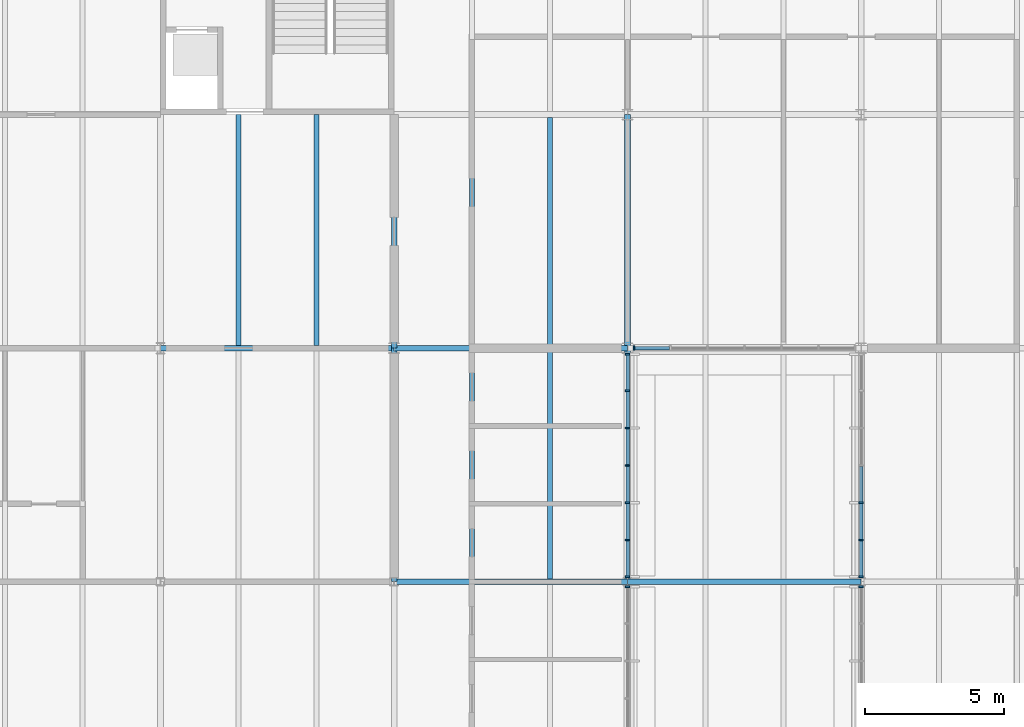
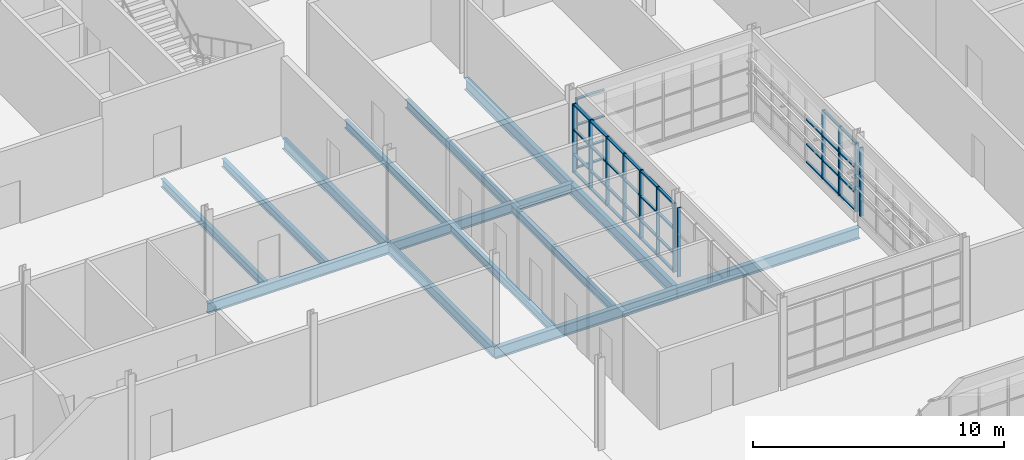
# One storey, part 60 of 116: 52 members, 14 beams, 5 elements without a shape of their own.
"""IFC4 building model written with IfcOpenShell, lengths in metres."""

from ifc_helpers import new_model, si_unit, direction, frame, origin, origin_2d, place, context, subcontext, project, spatial, rectangle, i_section, extrude, material, layer, layer_set, material_profile, profile_set, type_object, element, aggregate, save


model = new_model("IFC4")

# Units and contexts
model_context = context("Model", 3, precision=1e-05, world=origin(), true_north=direction((0.0, 1.0)))
body_context = subcontext(model_context, "Body", "Model", "MODEL_VIEW")
ifc_project = project(units=[si_unit("LENGTHUNIT", "METRE"), si_unit("AREAUNIT", "SQUARE_METRE"), si_unit("VOLUMEUNIT", "CUBIC_METRE"), si_unit("PLANEANGLEUNIT", "RADIAN"), si_unit("MASSUNIT", "GRAM", prefix="KILO")], contexts=[model_context])

# Site, building, storey
site_placement = place(None, origin())
site = spatial("IfcSite", under=ifc_project, at=site_placement, CompositionType="ELEMENT")
building_placement = place(site_placement, origin())
building = spatial("IfcBuilding", under=site, at=building_placement, Name="Ardhachandra Cancer Care Centre", CompositionType="ELEMENT")
storey_placement = place(building_placement, origin())
storey = spatial("IfcBuildingStorey", under=building, at=storey_placement, Name="L00", CompositionType="ELEMENT", Elevation=0.0)

# Beams
ifc_material_1 = material(Name="Steel E350 (IS 2062)", Category="steel")
ifc_material_profile_1 = material_profile(ifc_material_1, i_section(OverallWidth=0.179931640625, OverallDepth=0.39990234375, WebThickness=0.008544921875, FlangeThickness=0.013427734375, FilletRadius=0.02099609375, at=origin_2d()), Name="NPB 400x180x66.30")
ifc_profile_set_1 = profile_set([ifc_material_profile_1], Name="Steel E350 (IS 2062)")
beam_type_1 = type_object("IfcBeamType", Name="Beam NPB 400x180x66.30", PredefinedType="BEAM", material=ifc_profile_set_1)
for number, where, z_axis, x_axis, name in (
    (1, (106.0, 79.89990234375, -0.35009765625), (0.0, 1.0, 0.0), (-1.0, 0.0, 0.0), "Secondary J12-K12@2800"),
    (2, (108.800048828125, 79.89990234375, -0.35009765625), (0.0, 1.0, 0.0), (-1.0, 0.0, 0.0), "Secondary J12-K12@5600"),
):
    element("IfcBeam", number, at=place(storey_placement, frame(where, z_axis=z_axis, x_axis=x_axis)), inside=storey, type_object=beam_type_1, Name=name, PredefinedType="BEAM", context=body_context, shape_type="SweptSolid", body=[
        extrude(i_section(OverallWidth=0.179931640625, OverallDepth=0.39990234375, WebThickness=0.008544921875, FlangeThickness=0.013427734375, FilletRadius=0.02099609375, at=origin_2d()), origin(), (0.0, 0.0, 1.0), 8.300048828125),
    ])
for number, where, z_axis, x_axis, name in (
    (3, (114.39990234375, 71.5048828125, -0.35009765625), (0.0, 1.0, 0.0), (-1.0, 0.0, 0.0), "Secondary H13-J13@2800"),
    (4, (114.39990234375, 79.89990234375, -0.35009765625), (0.0, 1.0, 0.0), (-1.0, 0.0, 0.0), "Secondary J13-K13@2800"),
    (5, (117.199951171875, 71.5048828125, -0.35009765625), (0.0, 1.0, 0.0), (-1.0, 0.0, 0.0), "Secondary H13-J13@5600"),
    (6, (117.199951171875, 79.89990234375, -0.35009765625), (0.0, 1.0, 0.0), (-1.0, 0.0, 0.0), "Secondary J13-K13@5600"),
):
    element("IfcBeam", number, at=place(storey_placement, frame(where, z_axis=z_axis, x_axis=x_axis)), inside=storey, type_object=beam_type_1, Name=name, PredefinedType="BEAM", context=body_context, shape_type="SweptSolid", body=[
        extrude(i_section(OverallWidth=0.179931640625, OverallDepth=0.39990234375, WebThickness=0.008544921875, FlangeThickness=0.013427734375, FilletRadius=0.02099609375, at=origin_2d()), origin(), (0.0, 0.0, 1.0), 8.195068359375),
    ])
ifc_material_2 = material(Name="Steel E350 (IS 2062)", Category="steel")
ifc_material_profile_2 = material_profile(ifc_material_2, i_section(OverallWidth=0.199951171875, OverallDepth=0.5, WebThickness=0.01025390625, FlangeThickness=0.01611328125, FilletRadius=0.02099609375, at=origin_2d()), Name="NPB 500x200x90.68")
ifc_profile_set_2 = profile_set([ifc_material_profile_2], Name="Steel E350 (IS 2062)")
beam_type_2 = type_object("IfcBeamType", Name="Beam NPB 500x200x90.68", PredefinedType="BEAM", material=ifc_profile_set_2)
beam_1_placement = place(storey_placement, frame((103.199951171875, 79.800048828125, -0.39990234375), z_axis=(1.0, 0.0, 0.0), x_axis=(0.0, 1.0, 0.0)))
element("IfcBeam", 7, at=beam_1_placement, inside=storey, type_object=beam_type_2, Name="Edge girder J12-J13", PredefinedType="BEAM", context=body_context, shape_type="SweptSolid", body=[
    extrude(i_section(OverallWidth=0.199951171875, OverallDepth=0.5, WebThickness=0.01025390625, FlangeThickness=0.01611328125, FilletRadius=0.02099609375, at=origin_2d()), origin(), (0.0, 0.0, 1.0), 8.400146484375),
])
beam_2_placement = place(storey_placement, frame((111.60009765625, 79.800048828125, -0.39990234375), z_axis=(1.0, 0.0, 0.0), x_axis=(0.0, 1.0, 0.0)))
element("IfcBeam", 8, at=beam_2_placement, inside=storey, type_object=beam_type_2, Name="Edge girder J13-J14", PredefinedType="BEAM", context=body_context, shape_type="SweptSolid", body=[
    extrude(i_section(OverallWidth=0.199951171875, OverallDepth=0.5, WebThickness=0.01025390625, FlangeThickness=0.01611328125, FilletRadius=0.02099609375, at=origin_2d()), origin(), (0.0, 0.0, 1.0), 8.39990234375),
])
beam_3_placement = place(storey_placement, frame((111.60009765625, 71.39990234375, -0.39990234375), z_axis=(0.0, 1.0, 0.0), x_axis=(-1.0, 0.0, 0.0)))
element("IfcBeam", 9, at=beam_3_placement, inside=storey, type_object=beam_type_2, Name="Edge girder H13-J13", PredefinedType="BEAM", context=body_context, shape_type="SweptSolid", body=[
    extrude(i_section(OverallWidth=0.199951171875, OverallDepth=0.5, WebThickness=0.01025390625, FlangeThickness=0.01611328125, FilletRadius=0.02099609375, at=origin_2d()), origin(), (0.0, 0.0, 1.0), 8.400146484375),
])
beam_4_placement = place(storey_placement, frame((111.60009765625, 79.800048828125, -0.39990234375), z_axis=(0.0, 1.0, 0.0), x_axis=(-1.0, 0.0, 0.0)))
element("IfcBeam", 10, at=beam_4_placement, inside=storey, type_object=beam_type_2, Name="Edge girder J13-K13", PredefinedType="BEAM", context=body_context, shape_type="SweptSolid", body=[
    extrude(i_section(OverallWidth=0.199951171875, OverallDepth=0.5, WebThickness=0.01025390625, FlangeThickness=0.01611328125, FilletRadius=0.02099609375, at=origin_2d()), origin(), (0.0, 0.0, 1.0), 8.39990234375),
])
ifc_material_3 = material(Name="Steel E350 (IS 2062)", Category="steel")
ifc_material_profile_3 = material_profile(ifc_material_3, i_section(OverallWidth=0.2099609375, OverallDepth=0.550048828125, WebThickness=0.010986328125, FlangeThickness=0.01708984375, FilletRadius=0.02392578125, at=origin_2d()), Name="NPB 550x210x105.52")
ifc_profile_set_3 = profile_set([ifc_material_profile_3], Name="Steel E350 (IS 2062)")
beam_type_3 = type_object("IfcBeamType", Name="Beam NPB 550x210x105.52", PredefinedType="BEAM", material=ifc_profile_set_3)
for number, where, z_axis, x_axis, name in (
    (11, (111.60009765625, 71.39990234375, -0.425048828125), (1.0, 0.0, 0.0), (0.0, 1.0, 0.0), "Girder H13-H14"),
    (12, (120.0, 71.39990234375, -0.425048828125), (1.0, 0.0, 0.0), (0.0, 1.0, 0.0), "Girder H14-H15"),
):
    element("IfcBeam", number, at=place(storey_placement, frame(where, z_axis=z_axis, x_axis=x_axis)), inside=storey, type_object=beam_type_3, Name=name, PredefinedType="BEAM", context=body_context, shape_type="SweptSolid", body=[
        extrude(i_section(OverallWidth=0.2099609375, OverallDepth=0.550048828125, WebThickness=0.010986328125, FlangeThickness=0.01708984375, FilletRadius=0.02392578125, at=origin_2d()), origin(), (0.0, 0.0, 1.0), 8.39990234375),
    ])
beam_5_placement = place(storey_placement, frame((120.0, 71.39990234375, -0.425048828125), z_axis=(0.0, 1.0, 0.0), x_axis=(-1.0, 0.0, 0.0)))
element("IfcBeam", 13, at=beam_5_placement, inside=storey, type_object=beam_type_3, Name="Girder H14-J14", PredefinedType="BEAM", context=body_context, shape_type="SweptSolid", body=[
    extrude(i_section(OverallWidth=0.2099609375, OverallDepth=0.550048828125, WebThickness=0.010986328125, FlangeThickness=0.01708984375, FilletRadius=0.02392578125, at=origin_2d()), origin(), (0.0, 0.0, 1.0), 8.400146484375),
])
beam_6_placement = place(storey_placement, frame((120.0, 79.800048828125, -0.425048828125), z_axis=(0.0, 1.0, 0.0), x_axis=(-1.0, 0.0, 0.0)))
element("IfcBeam", 14, at=beam_6_placement, inside=storey, type_object=beam_type_3, Name="Girder J14-K14", PredefinedType="BEAM", context=body_context, shape_type="SweptSolid", body=[
    extrude(i_section(OverallWidth=0.2099609375, OverallDepth=0.550048828125, WebThickness=0.010986328125, FlangeThickness=0.01708984375, FilletRadius=0.02392578125, at=origin_2d()), origin(), (0.0, 0.0, 1.0), 8.39990234375),
])

# Curtain wall, member
ifc_material_4 = material(Name="Aluminium extrusion", Category="aluminium")
ifc_layer = layer(ifc_material_4, 0.14990234375)
ifc_layer_set = layer_set([ifc_layer], Name="Aluminium extrusion")
curtain_wall_type = type_object("IfcCurtainWallType", Name="Curtain wall run", PredefinedType="NOTDEFINED", material=ifc_layer_set)
curtain_wall_1_placement = place(storey_placement, origin())
curtain_wall_1 = element("IfcCurtainWall", 15, at=curtain_wall_1_placement, inside=storey, type_object=curtain_wall_type, Name="Curtain wall L00 e/0120000_0063000", PredefinedType="NOTDEFINED")
ifc_material_5 = material(Name="Aluminium extrusion", Category="aluminium")
ifc_material_profile_4 = material_profile(ifc_material_5, rectangle(XDim=0.159912109375, YDim=0.06005859375, at=origin_2d()), Name="Curtain wall mullion 60 x 160")
ifc_profile_set_4 = profile_set([ifc_material_profile_4], Name="Aluminium extrusion")
member_type_1 = type_object("IfcMemberType", Name="Curtain wall mullion 60 x 160", PredefinedType="MULLION", material=ifc_profile_set_4)
member_1_placement = place(storey_placement, frame((120.0, 71.219970703125, 0.449951171875), z_axis=(0.0, 0.0, 1.0), x_axis=(-1.0, 0.0, 0.0)))
member_1 = element("IfcMember", 16, at=member_1_placement, type_object=member_type_1, Name="CW mullion 7", PredefinedType="MULLION", context=body_context, shape_type="SweptSolid", body=[
    extrude(rectangle(XDim=0.159912109375, YDim=0.06005859375, at=origin_2d()), origin(), (0.0, 0.0, 1.0), 3.35009765625),
])
aggregate(curtain_wall_1, [member_1])

# Curtain wall, members
curtain_wall_2_placement = place(storey_placement, origin())
curtain_wall_2 = element("IfcCurtainWall", 17, at=curtain_wall_2_placement, inside=storey, type_object=curtain_wall_type, Name="Curtain wall L00 e/0120000_0071400", PredefinedType="NOTDEFINED")
member_2_placement = place(storey_placement, frame((120.0, 71.580078125, 0.449951171875), z_axis=(0.0, 0.0, 1.0), x_axis=(-1.0, 0.0, 0.0)))
member_2 = element("IfcMember", 18, at=member_2_placement, type_object=member_type_1, Name="CW mullion 1", PredefinedType="MULLION", context=body_context, shape_type="SweptSolid", body=[
    extrude(rectangle(XDim=0.159912109375, YDim=0.06005859375, at=origin_2d()), origin(), (0.0, 0.0, 1.0), 3.35009765625),
])
member_3_placement = place(storey_placement, frame((120.0, 72.893310546875, 0.449951171875), z_axis=(0.0, 0.0, 1.0), x_axis=(-1.0, 0.0, 0.0)))
member_3 = element("IfcMember", 19, at=member_3_placement, type_object=member_type_1, Name="CW mullion 2", PredefinedType="MULLION", context=body_context, shape_type="SweptSolid", body=[
    extrude(rectangle(XDim=0.159912109375, YDim=0.06005859375, at=origin_2d()), origin(), (0.0, 0.0, 1.0), 3.35009765625),
])
member_4_placement = place(storey_placement, frame((120.0, 74.236572265625, 0.449951171875), z_axis=(0.0, 0.0, 1.0), x_axis=(-1.0, 0.0, 0.0)))
member_4 = element("IfcMember", 20, at=member_4_placement, type_object=member_type_1, Name="CW mullion 3", PredefinedType="MULLION", context=body_context, shape_type="SweptSolid", body=[
    extrude(rectangle(XDim=0.159912109375, YDim=0.06005859375, at=origin_2d()), origin(), (0.0, 0.0, 1.0), 3.35009765625),
])
member_5_placement = place(storey_placement, frame((120.0, 75.580078125, 0.449951171875), z_axis=(0.0, 0.0, 1.0), x_axis=(-1.0, 0.0, 0.0)))
member_5 = element("IfcMember", 21, at=member_5_placement, type_object=member_type_1, Name="CW mullion 4", PredefinedType="MULLION", context=body_context, shape_type="SweptSolid", body=[
    extrude(rectangle(XDim=0.159912109375, YDim=0.06005859375, at=origin_2d()), origin(), (0.0, 0.0, 1.0), 3.35009765625),
])
member_6_placement = place(storey_placement, frame((120.0, 76.92333984375, 0.449951171875), z_axis=(0.0, 0.0, 1.0), x_axis=(-1.0, 0.0, 0.0)))
member_6 = element("IfcMember", 22, at=member_6_placement, type_object=member_type_1, Name="CW mullion 5", PredefinedType="MULLION", context=body_context, shape_type="SweptSolid", body=[
    extrude(rectangle(XDim=0.159912109375, YDim=0.06005859375, at=origin_2d()), origin(), (0.0, 0.0, 1.0), 3.35009765625),
])
member_7_placement = place(storey_placement, frame((120.0, 78.2666015625, 0.449951171875), z_axis=(0.0, 0.0, 1.0), x_axis=(-1.0, 0.0, 0.0)))
member_7 = element("IfcMember", 23, at=member_7_placement, type_object=member_type_1, Name="CW mullion 6", PredefinedType="MULLION", context=body_context, shape_type="SweptSolid", body=[
    extrude(rectangle(XDim=0.159912109375, YDim=0.06005859375, at=origin_2d()), origin(), (0.0, 0.0, 1.0), 3.35009765625),
])
member_8_placement = place(storey_placement, frame((120.0, 79.580078125, 0.449951171875), z_axis=(0.0, 0.0, 1.0), x_axis=(-1.0, 0.0, 0.0)))
member_8 = element("IfcMember", 24, at=member_8_placement, type_object=member_type_1, Name="CW mullion 7", PredefinedType="MULLION", context=body_context, shape_type="SweptSolid", body=[
    extrude(rectangle(XDim=0.159912109375, YDim=0.06005859375, at=origin_2d()), origin(), (0.0, 0.0, 1.0), 3.35009765625),
])

# Curtain wall, member
curtain_wall_3_placement = place(storey_placement, origin())
curtain_wall_3 = element("IfcCurtainWall", 25, at=curtain_wall_3_placement, inside=storey, type_object=curtain_wall_type, Name="Curtain wall L00 s/0120000_0079800", PredefinedType="NOTDEFINED")
member_9_placement = place(storey_placement, frame((120.2275390625, 79.800048828125, 0.449951171875), z_axis=(0.0, 0.0, 1.0), x_axis=(0.0, 1.0, 0.0)))
member_9 = element("IfcMember", 26, at=member_9_placement, type_object=member_type_1, Name="CW mullion 1", PredefinedType="MULLION", context=body_context, shape_type="SweptSolid", body=[
    extrude(rectangle(XDim=0.159912109375, YDim=0.06005859375, at=origin_2d()), origin(), (0.0, 0.0, 1.0), 3.400146484375),
])

curtain_wall_4_placement = place(storey_placement, origin())
curtain_wall_4 = element("IfcCurtainWall", 27, at=curtain_wall_4_placement, inside=storey, type_object=curtain_wall_type, Name="Curtain wall L00 w/0128400_0063000", PredefinedType="NOTDEFINED")
member_10_placement = place(storey_placement, frame((128.39990234375, 71.219970703125, 0.449951171875), z_axis=(0.0, 0.0, 1.0), x_axis=(-1.0, 0.0, 0.0)))
member_10 = element("IfcMember", 28, at=member_10_placement, type_object=member_type_1, Name="CW mullion 7", PredefinedType="MULLION", context=body_context, shape_type="SweptSolid", body=[
    extrude(rectangle(XDim=0.159912109375, YDim=0.06005859375, at=origin_2d()), origin(), (0.0, 0.0, 1.0), 3.35009765625),
])
aggregate(curtain_wall_4, [member_10])

# Curtain wall, members
curtain_wall_5_placement = place(storey_placement, origin())
curtain_wall_5 = element("IfcCurtainWall", 29, at=curtain_wall_5_placement, inside=storey, type_object=curtain_wall_type, Name="Curtain wall L00 w/0128400_0071400", PredefinedType="NOTDEFINED")
member_11_placement = place(storey_placement, frame((128.39990234375, 71.580078125, 0.449951171875), z_axis=(0.0, 0.0, 1.0), x_axis=(-1.0, 0.0, 0.0)))
member_11 = element("IfcMember", 30, at=member_11_placement, type_object=member_type_1, Name="CW mullion 1", PredefinedType="MULLION", context=body_context, shape_type="SweptSolid", body=[
    extrude(rectangle(XDim=0.159912109375, YDim=0.06005859375, at=origin_2d()), origin(), (0.0, 0.0, 1.0), 3.35009765625),
])
member_12_placement = place(storey_placement, frame((128.39990234375, 72.893310546875, 0.449951171875), z_axis=(0.0, 0.0, 1.0), x_axis=(-1.0, 0.0, 0.0)))
member_12 = element("IfcMember", 31, at=member_12_placement, type_object=member_type_1, Name="CW mullion 2", PredefinedType="MULLION", context=body_context, shape_type="SweptSolid", body=[
    extrude(rectangle(XDim=0.159912109375, YDim=0.06005859375, at=origin_2d()), origin(), (0.0, 0.0, 1.0), 3.35009765625),
])
member_13_placement = place(storey_placement, frame((128.39990234375, 74.236572265625, 0.449951171875), z_axis=(0.0, 0.0, 1.0), x_axis=(-1.0, 0.0, 0.0)))
member_13 = element("IfcMember", 32, at=member_13_placement, type_object=member_type_1, Name="CW mullion 3", PredefinedType="MULLION", context=body_context, shape_type="SweptSolid", body=[
    extrude(rectangle(XDim=0.159912109375, YDim=0.06005859375, at=origin_2d()), origin(), (0.0, 0.0, 1.0), 3.35009765625),
])

# Member
ifc_material_6 = material(Name="Aluminium extrusion", Category="aluminium")
ifc_material_profile_5 = material_profile(ifc_material_6, rectangle(XDim=0.1201171875, YDim=0.06005859375, at=origin_2d()), Name="Curtain wall transom 60 x 120")
ifc_profile_set_5 = profile_set([ifc_material_profile_5], Name="Aluminium extrusion")
member_type_2 = type_object("IfcMemberType", Name="Curtain wall transom 60 x 120", PredefinedType="USERDEFINED", material=ifc_profile_set_5)
member_14_placement = place(storey_placement, frame((120.0, 71.610107421875, 0.47998046875), z_axis=(0.0, 1.0, 0.0), x_axis=(-1.0, 0.0, 0.0)))
member_14 = element("IfcMember", 33, at=member_14_placement, type_object=member_type_2, Name="CW transom 1.1", ObjectType="TRANSOM", PredefinedType="USERDEFINED", context=body_context, shape_type="SweptSolid", body=[
    extrude(rectangle(XDim=0.1201171875, YDim=0.06005859375, at=origin_2d()), origin(), (0.0, 0.0, 1.0), 1.253173828125),
])

member_15_placement = place(storey_placement, frame((120.0, 71.610107421875, 1.35009765625), z_axis=(0.0, 1.0, 0.0), x_axis=(-1.0, 0.0, 0.0)))
member_15 = element("IfcMember", 34, at=member_15_placement, type_object=member_type_2, Name="CW transom 1.2", ObjectType="TRANSOM", PredefinedType="USERDEFINED", context=body_context, shape_type="SweptSolid", body=[
    extrude(rectangle(XDim=0.1201171875, YDim=0.06005859375, at=origin_2d()), origin(), (0.0, 0.0, 1.0), 1.253173828125),
])

member_16_placement = place(storey_placement, frame((120.0, 71.610107421875, 2.550048828125), z_axis=(0.0, 1.0, 0.0), x_axis=(-1.0, 0.0, 0.0)))
member_16 = element("IfcMember", 35, at=member_16_placement, type_object=member_type_2, Name="CW transom 1.3", ObjectType="TRANSOM", PredefinedType="USERDEFINED", context=body_context, shape_type="SweptSolid", body=[
    extrude(rectangle(XDim=0.1201171875, YDim=0.06005859375, at=origin_2d()), origin(), (0.0, 0.0, 1.0), 1.253173828125),
])

member_17_placement = place(storey_placement, frame((120.0, 71.610107421875, 3.77001953125), z_axis=(0.0, 1.0, 0.0), x_axis=(-1.0, 0.0, 0.0)))
member_17 = element("IfcMember", 36, at=member_17_placement, type_object=member_type_2, Name="CW transom 1.4", ObjectType="TRANSOM", PredefinedType="USERDEFINED", context=body_context, shape_type="SweptSolid", body=[
    extrude(rectangle(XDim=0.1201171875, YDim=0.06005859375, at=origin_2d()), origin(), (0.0, 0.0, 1.0), 1.253173828125),
])

member_18_placement = place(storey_placement, frame((120.0, 72.92333984375, 0.47998046875), z_axis=(0.0, 1.0, 0.0), x_axis=(-1.0, 0.0, 0.0)))
member_18 = element("IfcMember", 37, at=member_18_placement, type_object=member_type_2, Name="CW transom 2.1", ObjectType="TRANSOM", PredefinedType="USERDEFINED", context=body_context, shape_type="SweptSolid", body=[
    extrude(rectangle(XDim=0.1201171875, YDim=0.06005859375, at=origin_2d()), origin(), (0.0, 0.0, 1.0), 1.283447265625),
])

member_19_placement = place(storey_placement, frame((120.0, 72.92333984375, 1.35009765625), z_axis=(0.0, 1.0, 0.0), x_axis=(-1.0, 0.0, 0.0)))
member_19 = element("IfcMember", 38, at=member_19_placement, type_object=member_type_2, Name="CW transom 2.2", ObjectType="TRANSOM", PredefinedType="USERDEFINED", context=body_context, shape_type="SweptSolid", body=[
    extrude(rectangle(XDim=0.1201171875, YDim=0.06005859375, at=origin_2d()), origin(), (0.0, 0.0, 1.0), 1.283447265625),
])

member_20_placement = place(storey_placement, frame((120.0, 72.92333984375, 2.550048828125), z_axis=(0.0, 1.0, 0.0), x_axis=(-1.0, 0.0, 0.0)))
member_20 = element("IfcMember", 39, at=member_20_placement, type_object=member_type_2, Name="CW transom 2.3", ObjectType="TRANSOM", PredefinedType="USERDEFINED", context=body_context, shape_type="SweptSolid", body=[
    extrude(rectangle(XDim=0.1201171875, YDim=0.06005859375, at=origin_2d()), origin(), (0.0, 0.0, 1.0), 1.283447265625),
])

member_21_placement = place(storey_placement, frame((120.0, 72.92333984375, 3.77001953125), z_axis=(0.0, 1.0, 0.0), x_axis=(-1.0, 0.0, 0.0)))
member_21 = element("IfcMember", 40, at=member_21_placement, type_object=member_type_2, Name="CW transom 2.4", ObjectType="TRANSOM", PredefinedType="USERDEFINED", context=body_context, shape_type="SweptSolid", body=[
    extrude(rectangle(XDim=0.1201171875, YDim=0.06005859375, at=origin_2d()), origin(), (0.0, 0.0, 1.0), 1.283447265625),
])

member_22_placement = place(storey_placement, frame((120.0, 74.2666015625, 0.47998046875), z_axis=(0.0, 1.0, 0.0), x_axis=(-1.0, 0.0, 0.0)))
member_22 = element("IfcMember", 41, at=member_22_placement, type_object=member_type_2, Name="CW transom 3.1", ObjectType="TRANSOM", PredefinedType="USERDEFINED", context=body_context, shape_type="SweptSolid", body=[
    extrude(rectangle(XDim=0.1201171875, YDim=0.06005859375, at=origin_2d()), origin(), (0.0, 0.0, 1.0), 1.283447265625),
])

member_23_placement = place(storey_placement, frame((120.0, 74.2666015625, 1.35009765625), z_axis=(0.0, 1.0, 0.0), x_axis=(-1.0, 0.0, 0.0)))
member_23 = element("IfcMember", 42, at=member_23_placement, type_object=member_type_2, Name="CW transom 3.2", ObjectType="TRANSOM", PredefinedType="USERDEFINED", context=body_context, shape_type="SweptSolid", body=[
    extrude(rectangle(XDim=0.1201171875, YDim=0.06005859375, at=origin_2d()), origin(), (0.0, 0.0, 1.0), 1.283447265625),
])

member_24_placement = place(storey_placement, frame((120.0, 74.2666015625, 2.550048828125), z_axis=(0.0, 1.0, 0.0), x_axis=(-1.0, 0.0, 0.0)))
member_24 = element("IfcMember", 43, at=member_24_placement, type_object=member_type_2, Name="CW transom 3.3", ObjectType="TRANSOM", PredefinedType="USERDEFINED", context=body_context, shape_type="SweptSolid", body=[
    extrude(rectangle(XDim=0.1201171875, YDim=0.06005859375, at=origin_2d()), origin(), (0.0, 0.0, 1.0), 1.283447265625),
])

member_25_placement = place(storey_placement, frame((120.0, 74.2666015625, 3.77001953125), z_axis=(0.0, 1.0, 0.0), x_axis=(-1.0, 0.0, 0.0)))
member_25 = element("IfcMember", 44, at=member_25_placement, type_object=member_type_2, Name="CW transom 3.4", ObjectType="TRANSOM", PredefinedType="USERDEFINED", context=body_context, shape_type="SweptSolid", body=[
    extrude(rectangle(XDim=0.1201171875, YDim=0.06005859375, at=origin_2d()), origin(), (0.0, 0.0, 1.0), 1.283447265625),
])

member_26_placement = place(storey_placement, frame((120.0, 75.610107421875, 0.47998046875), z_axis=(0.0, 1.0, 0.0), x_axis=(-1.0, 0.0, 0.0)))
member_26 = element("IfcMember", 45, at=member_26_placement, type_object=member_type_2, Name="CW transom 4.1", ObjectType="TRANSOM", PredefinedType="USERDEFINED", context=body_context, shape_type="SweptSolid", body=[
    extrude(rectangle(XDim=0.1201171875, YDim=0.06005859375, at=origin_2d()), origin(), (0.0, 0.0, 1.0), 1.283203125),
])

member_27_placement = place(storey_placement, frame((120.0, 75.610107421875, 1.35009765625), z_axis=(0.0, 1.0, 0.0), x_axis=(-1.0, 0.0, 0.0)))
member_27 = element("IfcMember", 46, at=member_27_placement, type_object=member_type_2, Name="CW transom 4.2", ObjectType="TRANSOM", PredefinedType="USERDEFINED", context=body_context, shape_type="SweptSolid", body=[
    extrude(rectangle(XDim=0.1201171875, YDim=0.06005859375, at=origin_2d()), origin(), (0.0, 0.0, 1.0), 1.283203125),
])

member_28_placement = place(storey_placement, frame((120.0, 75.610107421875, 2.550048828125), z_axis=(0.0, 1.0, 0.0), x_axis=(-1.0, 0.0, 0.0)))
member_28 = element("IfcMember", 47, at=member_28_placement, type_object=member_type_2, Name="CW transom 4.3", ObjectType="TRANSOM", PredefinedType="USERDEFINED", context=body_context, shape_type="SweptSolid", body=[
    extrude(rectangle(XDim=0.1201171875, YDim=0.06005859375, at=origin_2d()), origin(), (0.0, 0.0, 1.0), 1.283203125),
])

member_29_placement = place(storey_placement, frame((120.0, 75.610107421875, 3.77001953125), z_axis=(0.0, 1.0, 0.0), x_axis=(-1.0, 0.0, 0.0)))
member_29 = element("IfcMember", 48, at=member_29_placement, type_object=member_type_2, Name="CW transom 4.4", ObjectType="TRANSOM", PredefinedType="USERDEFINED", context=body_context, shape_type="SweptSolid", body=[
    extrude(rectangle(XDim=0.1201171875, YDim=0.06005859375, at=origin_2d()), origin(), (0.0, 0.0, 1.0), 1.283203125),
])

member_30_placement = place(storey_placement, frame((120.0, 76.953369140625, 0.47998046875), z_axis=(0.0, 1.0, 0.0), x_axis=(-1.0, 0.0, 0.0)))
member_30 = element("IfcMember", 49, at=member_30_placement, type_object=member_type_2, Name="CW transom 5.1", ObjectType="TRANSOM", PredefinedType="USERDEFINED", context=body_context, shape_type="SweptSolid", body=[
    extrude(rectangle(XDim=0.1201171875, YDim=0.06005859375, at=origin_2d()), origin(), (0.0, 0.0, 1.0), 1.283203125),
])

member_31_placement = place(storey_placement, frame((120.0, 76.953369140625, 1.35009765625), z_axis=(0.0, 1.0, 0.0), x_axis=(-1.0, 0.0, 0.0)))
member_31 = element("IfcMember", 50, at=member_31_placement, type_object=member_type_2, Name="CW transom 5.2", ObjectType="TRANSOM", PredefinedType="USERDEFINED", context=body_context, shape_type="SweptSolid", body=[
    extrude(rectangle(XDim=0.1201171875, YDim=0.06005859375, at=origin_2d()), origin(), (0.0, 0.0, 1.0), 1.283203125),
])

member_32_placement = place(storey_placement, frame((120.0, 76.953369140625, 2.550048828125), z_axis=(0.0, 1.0, 0.0), x_axis=(-1.0, 0.0, 0.0)))
member_32 = element("IfcMember", 51, at=member_32_placement, type_object=member_type_2, Name="CW transom 5.3", ObjectType="TRANSOM", PredefinedType="USERDEFINED", context=body_context, shape_type="SweptSolid", body=[
    extrude(rectangle(XDim=0.1201171875, YDim=0.06005859375, at=origin_2d()), origin(), (0.0, 0.0, 1.0), 1.283203125),
])

member_33_placement = place(storey_placement, frame((120.0, 76.953369140625, 3.77001953125), z_axis=(0.0, 1.0, 0.0), x_axis=(-1.0, 0.0, 0.0)))
member_33 = element("IfcMember", 52, at=member_33_placement, type_object=member_type_2, Name="CW transom 5.4", ObjectType="TRANSOM", PredefinedType="USERDEFINED", context=body_context, shape_type="SweptSolid", body=[
    extrude(rectangle(XDim=0.1201171875, YDim=0.06005859375, at=origin_2d()), origin(), (0.0, 0.0, 1.0), 1.283203125),
])

member_34_placement = place(storey_placement, frame((120.0, 78.296630859375, 0.47998046875), z_axis=(0.0, 1.0, 0.0), x_axis=(-1.0, 0.0, 0.0)))
member_34 = element("IfcMember", 53, at=member_34_placement, type_object=member_type_2, Name="CW transom 6.1", ObjectType="TRANSOM", PredefinedType="USERDEFINED", context=body_context, shape_type="SweptSolid", body=[
    extrude(rectangle(XDim=0.1201171875, YDim=0.06005859375, at=origin_2d()), origin(), (0.0, 0.0, 1.0), 1.25341796875),
])

member_35_placement = place(storey_placement, frame((120.0, 78.296630859375, 1.35009765625), z_axis=(0.0, 1.0, 0.0), x_axis=(-1.0, 0.0, 0.0)))
member_35 = element("IfcMember", 54, at=member_35_placement, type_object=member_type_2, Name="CW transom 6.2", ObjectType="TRANSOM", PredefinedType="USERDEFINED", context=body_context, shape_type="SweptSolid", body=[
    extrude(rectangle(XDim=0.1201171875, YDim=0.06005859375, at=origin_2d()), origin(), (0.0, 0.0, 1.0), 1.25341796875),
])

member_36_placement = place(storey_placement, frame((120.0, 78.296630859375, 2.550048828125), z_axis=(0.0, 1.0, 0.0), x_axis=(-1.0, 0.0, 0.0)))
member_36 = element("IfcMember", 55, at=member_36_placement, type_object=member_type_2, Name="CW transom 6.3", ObjectType="TRANSOM", PredefinedType="USERDEFINED", context=body_context, shape_type="SweptSolid", body=[
    extrude(rectangle(XDim=0.1201171875, YDim=0.06005859375, at=origin_2d()), origin(), (0.0, 0.0, 1.0), 1.25341796875),
])

member_37_placement = place(storey_placement, frame((120.0, 78.296630859375, 3.77001953125), z_axis=(0.0, 1.0, 0.0), x_axis=(-1.0, 0.0, 0.0)))
member_37 = element("IfcMember", 56, at=member_37_placement, type_object=member_type_2, Name="CW transom 6.4", ObjectType="TRANSOM", PredefinedType="USERDEFINED", context=body_context, shape_type="SweptSolid", body=[
    extrude(rectangle(XDim=0.1201171875, YDim=0.06005859375, at=origin_2d()), origin(), (0.0, 0.0, 1.0), 1.25341796875),
])

aggregate(curtain_wall_2, [member_2, member_3, member_4, member_5, member_6, member_7, member_8, member_14, member_15, member_16, member_17, member_18, member_19, member_20, member_21, member_22, member_23, member_24, member_25, member_26, member_27, member_28, member_29, member_30, member_31, member_32, member_33, member_34, member_35, member_36, member_37])

member_38_placement = place(storey_placement, frame((120.257568359375, 79.800048828125, 0.47998046875), z_axis=(1.0, 0.0, 0.0), x_axis=(0.0, 1.0, 0.0)))
member_38 = element("IfcMember", 57, at=member_38_placement, type_object=member_type_2, Name="CW transom 1.1", ObjectType="TRANSOM", PredefinedType="USERDEFINED", context=body_context, shape_type="SweptSolid", body=[
    extrude(rectangle(XDim=0.1201171875, YDim=0.06005859375, at=origin_2d()), origin(), (0.0, 0.0, 1.0), 1.244140625),
])

member_39_placement = place(storey_placement, frame((120.257568359375, 79.800048828125, 1.35009765625), z_axis=(1.0, 0.0, 0.0), x_axis=(0.0, 1.0, 0.0)))
member_39 = element("IfcMember", 58, at=member_39_placement, type_object=member_type_2, Name="CW transom 1.2", ObjectType="TRANSOM", PredefinedType="USERDEFINED", context=body_context, shape_type="SweptSolid", body=[
    extrude(rectangle(XDim=0.1201171875, YDim=0.06005859375, at=origin_2d()), origin(), (0.0, 0.0, 1.0), 1.244140625),
])

member_40_placement = place(storey_placement, frame((120.257568359375, 79.800048828125, 2.550048828125), z_axis=(1.0, 0.0, 0.0), x_axis=(0.0, 1.0, 0.0)))
member_40 = element("IfcMember", 59, at=member_40_placement, type_object=member_type_2, Name="CW transom 1.3", ObjectType="TRANSOM", PredefinedType="USERDEFINED", context=body_context, shape_type="SweptSolid", body=[
    extrude(rectangle(XDim=0.1201171875, YDim=0.06005859375, at=origin_2d()), origin(), (0.0, 0.0, 1.0), 1.244140625),
])

member_41_placement = place(storey_placement, frame((120.257568359375, 79.800048828125, 3.820068359375), z_axis=(1.0, 0.0, 0.0), x_axis=(0.0, 1.0, 0.0)))
member_41 = element("IfcMember", 60, at=member_41_placement, type_object=member_type_2, Name="CW transom 1.4", ObjectType="TRANSOM", PredefinedType="USERDEFINED", context=body_context, shape_type="SweptSolid", body=[
    extrude(rectangle(XDim=0.1201171875, YDim=0.06005859375, at=origin_2d()), origin(), (0.0, 0.0, 1.0), 1.244140625),
])

aggregate(curtain_wall_3, [member_9, member_38, member_39, member_40, member_41])

member_42_placement = place(storey_placement, frame((128.39990234375, 71.610107421875, 0.47998046875), z_axis=(0.0, 1.0, 0.0), x_axis=(-1.0, 0.0, 0.0)))
member_42 = element("IfcMember", 61, at=member_42_placement, type_object=member_type_2, Name="CW transom 1.1", ObjectType="TRANSOM", PredefinedType="USERDEFINED", context=body_context, shape_type="SweptSolid", body=[
    extrude(rectangle(XDim=0.1201171875, YDim=0.06005859375, at=origin_2d()), origin(), (0.0, 0.0, 1.0), 1.253173828125),
])

member_43_placement = place(storey_placement, frame((128.39990234375, 71.610107421875, 1.35009765625), z_axis=(0.0, 1.0, 0.0), x_axis=(-1.0, 0.0, 0.0)))
member_43 = element("IfcMember", 62, at=member_43_placement, type_object=member_type_2, Name="CW transom 1.2", ObjectType="TRANSOM", PredefinedType="USERDEFINED", context=body_context, shape_type="SweptSolid", body=[
    extrude(rectangle(XDim=0.1201171875, YDim=0.06005859375, at=origin_2d()), origin(), (0.0, 0.0, 1.0), 1.253173828125),
])

member_44_placement = place(storey_placement, frame((128.39990234375, 71.610107421875, 2.550048828125), z_axis=(0.0, 1.0, 0.0), x_axis=(-1.0, 0.0, 0.0)))
member_44 = element("IfcMember", 63, at=member_44_placement, type_object=member_type_2, Name="CW transom 1.3", ObjectType="TRANSOM", PredefinedType="USERDEFINED", context=body_context, shape_type="SweptSolid", body=[
    extrude(rectangle(XDim=0.1201171875, YDim=0.06005859375, at=origin_2d()), origin(), (0.0, 0.0, 1.0), 1.253173828125),
])

member_45_placement = place(storey_placement, frame((128.39990234375, 71.610107421875, 3.77001953125), z_axis=(0.0, 1.0, 0.0), x_axis=(-1.0, 0.0, 0.0)))
member_45 = element("IfcMember", 64, at=member_45_placement, type_object=member_type_2, Name="CW transom 1.4", ObjectType="TRANSOM", PredefinedType="USERDEFINED", context=body_context, shape_type="SweptSolid", body=[
    extrude(rectangle(XDim=0.1201171875, YDim=0.06005859375, at=origin_2d()), origin(), (0.0, 0.0, 1.0), 1.253173828125),
])

member_46_placement = place(storey_placement, frame((128.39990234375, 72.92333984375, 0.47998046875), z_axis=(0.0, 1.0, 0.0), x_axis=(-1.0, 0.0, 0.0)))
member_46 = element("IfcMember", 65, at=member_46_placement, type_object=member_type_2, Name="CW transom 2.1", ObjectType="TRANSOM", PredefinedType="USERDEFINED", context=body_context, shape_type="SweptSolid", body=[
    extrude(rectangle(XDim=0.1201171875, YDim=0.06005859375, at=origin_2d()), origin(), (0.0, 0.0, 1.0), 1.283447265625),
])

member_47_placement = place(storey_placement, frame((128.39990234375, 72.92333984375, 1.35009765625), z_axis=(0.0, 1.0, 0.0), x_axis=(-1.0, 0.0, 0.0)))
member_47 = element("IfcMember", 66, at=member_47_placement, type_object=member_type_2, Name="CW transom 2.2", ObjectType="TRANSOM", PredefinedType="USERDEFINED", context=body_context, shape_type="SweptSolid", body=[
    extrude(rectangle(XDim=0.1201171875, YDim=0.06005859375, at=origin_2d()), origin(), (0.0, 0.0, 1.0), 1.283447265625),
])

member_48_placement = place(storey_placement, frame((128.39990234375, 72.92333984375, 2.550048828125), z_axis=(0.0, 1.0, 0.0), x_axis=(-1.0, 0.0, 0.0)))
member_48 = element("IfcMember", 67, at=member_48_placement, type_object=member_type_2, Name="CW transom 2.3", ObjectType="TRANSOM", PredefinedType="USERDEFINED", context=body_context, shape_type="SweptSolid", body=[
    extrude(rectangle(XDim=0.1201171875, YDim=0.06005859375, at=origin_2d()), origin(), (0.0, 0.0, 1.0), 1.283447265625),
])

member_49_placement = place(storey_placement, frame((128.39990234375, 72.92333984375, 3.77001953125), z_axis=(0.0, 1.0, 0.0), x_axis=(-1.0, 0.0, 0.0)))
member_49 = element("IfcMember", 68, at=member_49_placement, type_object=member_type_2, Name="CW transom 2.4", ObjectType="TRANSOM", PredefinedType="USERDEFINED", context=body_context, shape_type="SweptSolid", body=[
    extrude(rectangle(XDim=0.1201171875, YDim=0.06005859375, at=origin_2d()), origin(), (0.0, 0.0, 1.0), 1.283447265625),
])

member_50_placement = place(storey_placement, frame((128.39990234375, 74.2666015625, 0.47998046875), z_axis=(0.0, 1.0, 0.0), x_axis=(-1.0, 0.0, 0.0)))
member_50 = element("IfcMember", 69, at=member_50_placement, type_object=member_type_2, Name="CW transom 3.1", ObjectType="TRANSOM", PredefinedType="USERDEFINED", context=body_context, shape_type="SweptSolid", body=[
    extrude(rectangle(XDim=0.1201171875, YDim=0.06005859375, at=origin_2d()), origin(), (0.0, 0.0, 1.0), 1.283447265625),
])

member_51_placement = place(storey_placement, frame((128.39990234375, 74.2666015625, 1.35009765625), z_axis=(0.0, 1.0, 0.0), x_axis=(-1.0, 0.0, 0.0)))
member_51 = element("IfcMember", 70, at=member_51_placement, type_object=member_type_2, Name="CW transom 3.2", ObjectType="TRANSOM", PredefinedType="USERDEFINED", context=body_context, shape_type="SweptSolid", body=[
    extrude(rectangle(XDim=0.1201171875, YDim=0.06005859375, at=origin_2d()), origin(), (0.0, 0.0, 1.0), 1.283447265625),
])

member_52_placement = place(storey_placement, frame((128.39990234375, 74.2666015625, 2.550048828125), z_axis=(0.0, 1.0, 0.0), x_axis=(-1.0, 0.0, 0.0)))
member_52 = element("IfcMember", 71, at=member_52_placement, type_object=member_type_2, Name="CW transom 3.3", ObjectType="TRANSOM", PredefinedType="USERDEFINED", context=body_context, shape_type="SweptSolid", body=[
    extrude(rectangle(XDim=0.1201171875, YDim=0.06005859375, at=origin_2d()), origin(), (0.0, 0.0, 1.0), 1.283447265625),
])

aggregate(curtain_wall_5, [member_11, member_12, member_13, member_42, member_43, member_44, member_45, member_46, member_47, member_48, member_49, member_50, member_51, member_52])

save(model, "model.ifc")
